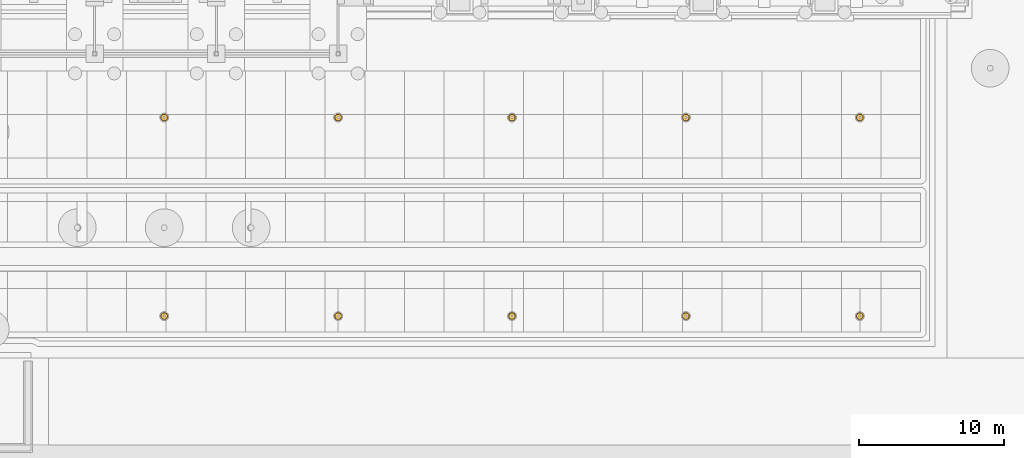
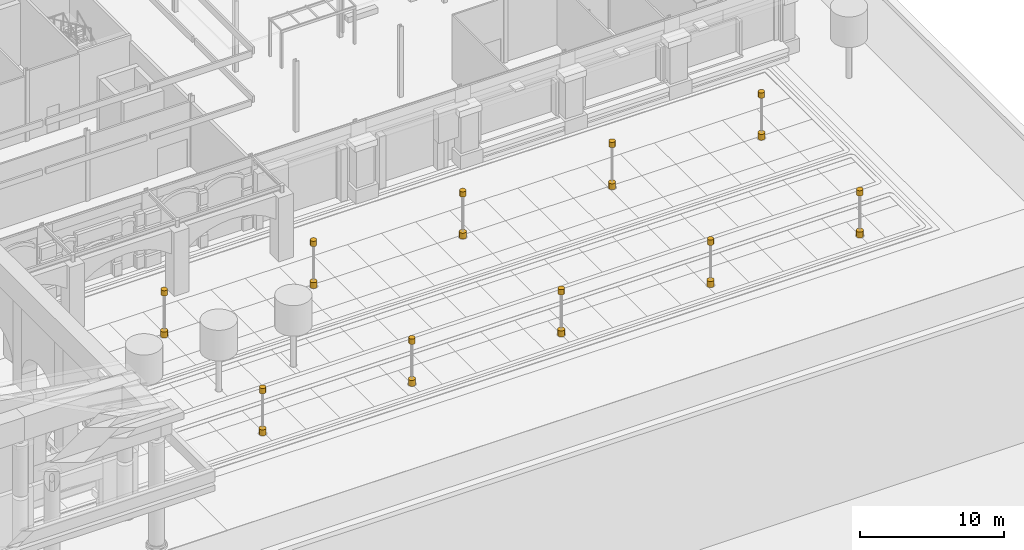
# One storey, part 210 of 222: 20 coverings.
"""IFC4 building model written with IfcOpenShell, lengths in metres."""

from ifc_helpers import new_model, si_unit, direction, frame, origin, origin_2d, place, context, subcontext, project, spatial, circle, extrude, material, layer, layer_set, type_object, element, save


model = new_model("IFC4")

# Units and contexts
model_context = context("Model", 3, precision=1e-05, world=origin(), true_north=direction((0.0, 1.0)))
body_context = subcontext(model_context, "Body", "Model", "MODEL_VIEW")
ifc_project = project(units=[si_unit("LENGTHUNIT", "METRE"), si_unit("AREAUNIT", "SQUARE_METRE"), si_unit("VOLUMEUNIT", "CUBIC_METRE"), si_unit("PLANEANGLEUNIT", "RADIAN"), si_unit("MASSUNIT", "GRAM", prefix="KILO")], contexts=[model_context])

# Site, building, storey
site_placement = place(None, origin())
site = spatial("IfcSite", under=ifc_project, at=site_placement, CompositionType="ELEMENT")
building_placement = place(site_placement, origin())
building = spatial("IfcBuilding", under=site, at=building_placement, Name="Sava Quay Ferry Terminal", CompositionType="ELEMENT")
storey_placement = place(building_placement, origin())
storey = spatial("IfcBuildingStorey", under=building, at=storey_placement, Name="L00", CompositionType="ELEMENT", Elevation=0.0)

# Coverings
ifc_material_1 = material(Name="Glass lantern", Category="glass")
ifc_layer_1 = layer(ifc_material_1, 0.449951171875)
ifc_layer_set_1 = layer_set([ifc_layer_1], Name="Glass lantern")
covering_type_1 = type_object("IfcCoveringType", Name="Lamp lantern 450", PredefinedType="CLADDING", material=ifc_layer_set_1)
for number, where, z_axis, x_axis, name in (
    (1, (114.0, 2.89990234375, 4.0), (0.0, 0.0, -1.0), (1.0, 0.0, 0.0), "Lamp lantern"),
    (2, (126.0, 2.89990234375, 4.0), (0.0, 0.0, -1.0), (1.0, 0.0, 0.0), "Lamp lantern"),
    (3, (138.0, 2.89990234375, 4.0), (0.0, 0.0, -1.0), (1.0, 0.0, 0.0), "Lamp lantern"),
    (4, (150.0, 2.89990234375, 4.0), (0.0, 0.0, -1.0), (1.0, 0.0, 0.0), "Lamp lantern"),
    (5, (162.0, 2.89990234375, 4.0), (0.0, 0.0, -1.0), (1.0, 0.0, 0.0), "Lamp lantern"),
    (6, (114.0, 16.60009765625, 4.0), (0.0, 0.0, -1.0), (1.0, 0.0, 0.0), "Lamp lantern"),
    (7, (126.0, 16.60009765625, 4.0), (0.0, 0.0, -1.0), (1.0, 0.0, 0.0), "Lamp lantern"),
    (8, (138.0, 16.60009765625, 4.0), (0.0, 0.0, -1.0), (1.0, 0.0, 0.0), "Lamp lantern"),
    (9, (150.0, 16.60009765625, 4.0), (0.0, 0.0, -1.0), (1.0, 0.0, 0.0), "Lamp lantern"),
    (10, (162.0, 16.60009765625, 4.0), (0.0, 0.0, -1.0), (1.0, 0.0, 0.0), "Lamp lantern"),
):
    element("IfcCovering", number, at=place(storey_placement, frame(where, z_axis=z_axis, x_axis=x_axis)), inside=storey, type_object=covering_type_1, Name=name, PredefinedType="CLADDING", context=body_context, shape_type="SweptSolid", body=[
        extrude(circle(Radius=0.22509765625, at=origin_2d()), origin(), (0.0, 0.0, 1.0), 0.449951171875),
    ])
ifc_material_2 = material(Name="Steel S355", Category="steel")
ifc_layer_2 = layer(ifc_material_2, 0.5)
ifc_layer_set_2 = layer_set([ifc_layer_2], Name="Steel S355")
covering_type_2 = type_object("IfcCoveringType", Name="Lamp standard base 500", PredefinedType="MOLDING", material=ifc_layer_set_2)
for number, where, z_axis, x_axis, name in (
    (11, (114.0, 2.89990234375, 0.5), (0.0, 0.0, -1.0), (1.0, 0.0, 0.0), "Lamp standard base"),
    (12, (126.0, 2.89990234375, 0.5), (0.0, 0.0, -1.0), (1.0, 0.0, 0.0), "Lamp standard base"),
    (13, (138.0, 2.89990234375, 0.5), (0.0, 0.0, -1.0), (1.0, 0.0, 0.0), "Lamp standard base"),
    (14, (150.0, 2.89990234375, 0.5), (0.0, 0.0, -1.0), (1.0, 0.0, 0.0), "Lamp standard base"),
    (15, (162.0, 2.89990234375, 0.5), (0.0, 0.0, -1.0), (1.0, 0.0, 0.0), "Lamp standard base"),
    (16, (114.0, 16.60009765625, 0.5), (0.0, 0.0, -1.0), (1.0, 0.0, 0.0), "Lamp standard base"),
    (17, (126.0, 16.60009765625, 0.5), (0.0, 0.0, -1.0), (1.0, 0.0, 0.0), "Lamp standard base"),
    (18, (138.0, 16.60009765625, 0.5), (0.0, 0.0, -1.0), (1.0, 0.0, 0.0), "Lamp standard base"),
    (19, (150.0, 16.60009765625, 0.5), (0.0, 0.0, -1.0), (1.0, 0.0, 0.0), "Lamp standard base"),
    (20, (162.0, 16.60009765625, 0.5), (0.0, 0.0, -1.0), (1.0, 0.0, 0.0), "Lamp standard base"),
):
    element("IfcCovering", number, at=place(storey_placement, frame(where, z_axis=z_axis, x_axis=x_axis)), inside=storey, type_object=covering_type_2, Name=name, PredefinedType="MOLDING", context=body_context, shape_type="SweptSolid", body=[
        extrude(circle(Radius=0.25, at=origin_2d()), origin(), (0.0, 0.0, 1.0), 0.5),
    ])

save(model, "model.ifc")
